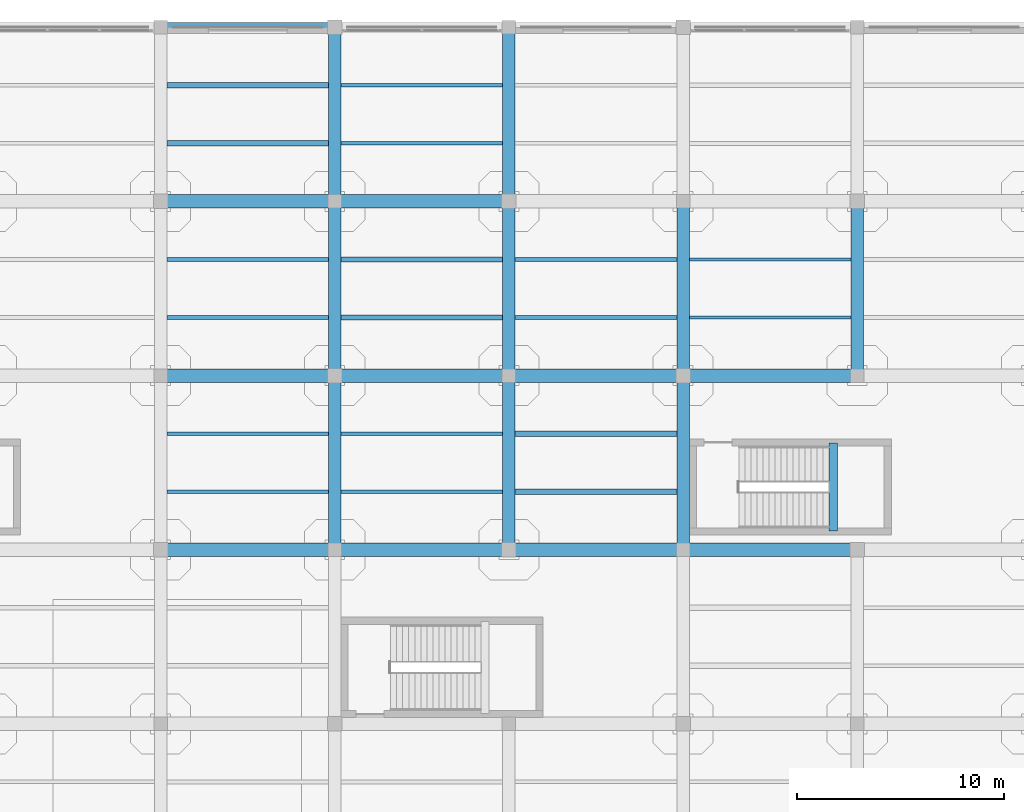
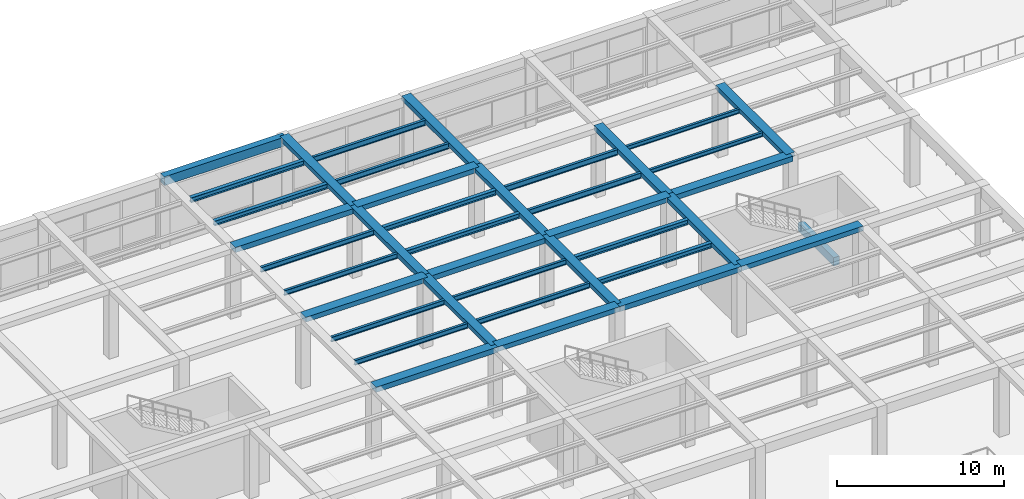
# One storey, part 38 of 96: 39 beams.
"""IFC4 building model written with IfcOpenShell, lengths in metres."""

from ifc_helpers import new_model, si_unit, direction, frame, origin, origin_2d, place, context, subcontext, project, spatial, rectangle, i_section, extrude, material, material_profile, profile_set, type_object, element, save


model = new_model("IFC4")

# Units and contexts
model_context = context("Model", 3, precision=1e-05, world=origin(), true_north=direction((0.0, 1.0)))
body_context = subcontext(model_context, "Body", "Model", "MODEL_VIEW")
ifc_project = project(units=[si_unit("LENGTHUNIT", "METRE"), si_unit("AREAUNIT", "SQUARE_METRE"), si_unit("VOLUMEUNIT", "CUBIC_METRE"), si_unit("PLANEANGLEUNIT", "RADIAN"), si_unit("MASSUNIT", "GRAM", prefix="KILO")], contexts=[model_context])

# Site, building, storey
site_placement = place(None, origin())
site = spatial("IfcSite", under=ifc_project, at=site_placement, CompositionType="ELEMENT")
building_placement = place(site_placement, origin())
building = spatial("IfcBuilding", under=site, at=building_placement, Name="Almacenes y Pasaje Nevantli", CompositionType="ELEMENT")
storey_placement = place(building_placement, frame((0.0, 0.0, 6.0)))
storey = spatial("IfcBuildingStorey", under=building, at=storey_placement, Name="L02", CompositionType="ELEMENT", Elevation=6.0)

# Beams
ifc_material_1 = material(Name="Concrete C35/45", Category="concrete")
ifc_material_profile_1 = material_profile(ifc_material_1, rectangle(XDim=0.39990234375, YDim=0.60009765625, at=origin_2d()), Name="RC-BM-400x600")
ifc_profile_set_1 = profile_set([ifc_material_profile_1], Name="Concrete C35/45")
beam_type_1 = type_object("IfcBeamType", Name="BM-RC-400x600", PredefinedType="SPANDREL", material=ifc_profile_set_1)
beam_1_placement = place(storey_placement, frame((57.64990234375, 93.300048828125, 2.199951171875), z_axis=(0.0, 1.0, 0.0), x_axis=(-1.0, 0.0, 0.0)))
element("IfcBeam", 1, at=beam_1_placement, inside=storey, type_object=beam_type_1, Name="L02 Stair ST-05 Half-Landing Support Beam", PredefinedType="SPANDREL", context=body_context, shape_type="SweptSolid", body=[
    extrude(rectangle(XDim=0.39990234375, YDim=0.60009765625, at=origin_2d()), origin(), (0.0, 0.0, 1.0), 4.25),
])
ifc_material_2 = material(Name="Concrete C35/45", Category="concrete")
ifc_material_profile_2 = material_profile(ifc_material_2, rectangle(XDim=0.449951171875, YDim=0.64990234375, at=origin_2d()), Name="RC-BM-450x650")
ifc_profile_set_2 = profile_set([ifc_material_profile_2], Name="Concrete C35/45")
beam_type_2 = type_object("IfcBeamType", Name="BM-RC-450x650", PredefinedType="SPANDREL", material=ifc_profile_set_2)
beam_2_placement = place(storey_placement, frame((25.199951171875, 117.60009765625, 4.77490234375), z_axis=(1.0, 0.0, 0.0), x_axis=(0.0, 1.0, 0.0)))
element("IfcBeam", 2, at=beam_2_placement, inside=storey, type_object=beam_type_2, Name="L02 East-West Reinforced Concrete Beam #1949", PredefinedType="SPANDREL", context=body_context, shape_type="SweptSolid", body=[
    extrude(rectangle(XDim=0.449951171875, YDim=0.64990234375, at=origin_2d()), origin(), (0.0, 0.0, 1.0), 8.400146484375),
])
ifc_material_3 = material(Name="Concrete C35/45", Category="concrete")
ifc_material_profile_3 = material_profile(ifc_material_3, rectangle(XDim=0.60009765625, YDim=0.320068359375, at=origin_2d()), Name="RC-BM-600x320")
ifc_profile_set_3 = profile_set([ifc_material_profile_3], Name="Concrete C35/45")
beam_type_3 = type_object("IfcBeamType", Name="BM-RC-600x320", PredefinedType="BEAM", material=ifc_profile_set_3)
for number, where, z_axis, x_axis, name in (
    (3, (33.60009765625, 92.39990234375, 4.93994140625), (0.0, 1.0, 0.0), (-1.0, 0.0, 0.0), "L02 North-South Reinforced Concrete Beam #2021"),
    (4, (33.60009765625, 109.199951171875, 4.93994140625), (0.0, 1.0, 0.0), (-1.0, 0.0, 0.0), "L02 North-South Reinforced Concrete Beam #2023"),
):
    element("IfcBeam", number, at=place(storey_placement, frame(where, z_axis=z_axis, x_axis=x_axis)), inside=storey, type_object=beam_type_3, Name=name, PredefinedType="BEAM", context=body_context, shape_type="SweptSolid", body=[
        extrude(rectangle(XDim=0.60009765625, YDim=0.320068359375, at=origin_2d()), origin(), (0.0, 0.0, 1.0), 8.400146484375),
    ])
beam_3_placement = place(storey_placement, frame((42.0, 100.800048828125, 4.93994140625), z_axis=(0.0, 1.0, 0.0), x_axis=(-1.0, 0.0, 0.0)))
element("IfcBeam", 5, at=beam_3_placement, inside=storey, type_object=beam_type_3, Name="L02 North-South Reinforced Concrete Beam #2031", PredefinedType="BEAM", context=body_context, shape_type="SweptSolid", body=[
    extrude(rectangle(XDim=0.60009765625, YDim=0.320068359375, at=origin_2d()), origin(), (0.0, 0.0, 1.0), 8.39990234375),
])
beam_4_placement = place(storey_placement, frame((50.39990234375, 92.39990234375, 4.93994140625), z_axis=(0.0, 1.0, 0.0), x_axis=(-1.0, 0.0, 0.0)))
element("IfcBeam", 6, at=beam_4_placement, inside=storey, type_object=beam_type_3, Name="L02 North-South Reinforced Concrete Beam #2039", PredefinedType="BEAM", context=body_context, shape_type="SweptSolid", body=[
    extrude(rectangle(XDim=0.60009765625, YDim=0.320068359375, at=origin_2d()), origin(), (0.0, 0.0, 1.0), 8.400146484375),
])
beam_5_placement = place(storey_placement, frame((58.800048828125, 100.800048828125, 4.93994140625), z_axis=(0.0, 1.0, 0.0), x_axis=(-1.0, 0.0, 0.0)))
element("IfcBeam", 7, at=beam_5_placement, inside=storey, type_object=beam_type_3, Name="L02 North-South Reinforced Concrete Beam #2053", PredefinedType="BEAM", context=body_context, shape_type="SweptSolid", body=[
    extrude(rectangle(XDim=0.60009765625, YDim=0.320068359375, at=origin_2d()), origin(), (0.0, 0.0, 1.0), 8.39990234375),
])
ifc_material_4 = material(Name="Concrete C35/45", Category="concrete")
ifc_material_profile_4 = material_profile(ifc_material_4, rectangle(XDim=0.60009765625, YDim=0.340087890625, at=origin_2d()), Name="RC-BM-600x340")
ifc_profile_set_4 = profile_set([ifc_material_profile_4], Name="Concrete C35/45")
beam_type_4 = type_object("IfcBeamType", Name="BM-RC-600x340", PredefinedType="BEAM", material=ifc_profile_set_4)
beam_6_placement = place(storey_placement, frame((33.60009765625, 100.800048828125, 4.929931640625), z_axis=(0.0, 1.0, 0.0), x_axis=(-1.0, 0.0, 0.0)))
element("IfcBeam", 8, at=beam_6_placement, inside=storey, type_object=beam_type_4, Name="L02 North-South Reinforced Concrete Beam #2022", PredefinedType="BEAM", context=body_context, shape_type="SweptSolid", body=[
    extrude(rectangle(XDim=0.60009765625, YDim=0.340087890625, at=origin_2d()), origin(), (0.0, 0.0, 1.0), 8.39990234375),
])
for number, where, z_axis, x_axis, name in (
    (9, (42.0, 92.39990234375, 4.929931640625), (0.0, 1.0, 0.0), (-1.0, 0.0, 0.0), "L02 North-South Reinforced Concrete Beam #2030"),
    (10, (42.0, 109.199951171875, 4.929931640625), (0.0, 1.0, 0.0), (-1.0, 0.0, 0.0), "L02 North-South Reinforced Concrete Beam #2032"),
):
    element("IfcBeam", number, at=place(storey_placement, frame(where, z_axis=z_axis, x_axis=x_axis)), inside=storey, type_object=beam_type_4, Name=name, PredefinedType="BEAM", context=body_context, shape_type="SweptSolid", body=[
        extrude(rectangle(XDim=0.60009765625, YDim=0.340087890625, at=origin_2d()), origin(), (0.0, 0.0, 1.0), 8.400146484375),
    ])
beam_7_placement = place(storey_placement, frame((50.39990234375, 100.800048828125, 4.929931640625), z_axis=(0.0, 1.0, 0.0), x_axis=(-1.0, 0.0, 0.0)))
element("IfcBeam", 11, at=beam_7_placement, inside=storey, type_object=beam_type_4, Name="L02 North-South Reinforced Concrete Beam #2040", PredefinedType="BEAM", context=body_context, shape_type="SweptSolid", body=[
    extrude(rectangle(XDim=0.60009765625, YDim=0.340087890625, at=origin_2d()), origin(), (0.0, 0.0, 1.0), 8.39990234375),
])
ifc_material_5 = material(Name="Concrete C35/45", Category="concrete")
ifc_material_profile_5 = material_profile(ifc_material_5, rectangle(XDim=0.64990234375, YDim=0.35009765625, at=origin_2d()), Name="RC-BM-650x350")
ifc_profile_set_5 = profile_set([ifc_material_profile_5], Name="Concrete C35/45")
beam_type_5 = type_object("IfcBeamType", Name="BM-RC-650x350", PredefinedType="BEAM", material=ifc_profile_set_5)
beam_8_placement = place(storey_placement, frame((33.60009765625, 92.39990234375, 4.925048828125), z_axis=(1.0, 0.0, 0.0), x_axis=(0.0, 1.0, 0.0)))
element("IfcBeam", 12, at=beam_8_placement, inside=storey, type_object=beam_type_5, Name="L02 East-West Reinforced Concrete Beam #1899", PredefinedType="BEAM", context=body_context, shape_type="SweptSolid", body=[
    extrude(rectangle(XDim=0.64990234375, YDim=0.35009765625, at=origin_2d()), origin(), (0.0, 0.0, 1.0), 8.39990234375),
])
for number, where, z_axis, x_axis, name in (
    (13, (50.39990234375, 92.39990234375, 4.925048828125), (1.0, 0.0, 0.0), (0.0, 1.0, 0.0), "L02 East-West Reinforced Concrete Beam #1901"),
    (14, (25.199951171875, 100.800048828125, 4.925048828125), (1.0, 0.0, 0.0), (0.0, 1.0, 0.0), "L02 East-West Reinforced Concrete Beam #1915"),
):
    element("IfcBeam", number, at=place(storey_placement, frame(where, z_axis=z_axis, x_axis=x_axis)), inside=storey, type_object=beam_type_5, Name=name, PredefinedType="BEAM", context=body_context, shape_type="SweptSolid", body=[
        extrude(rectangle(XDim=0.64990234375, YDim=0.35009765625, at=origin_2d()), origin(), (0.0, 0.0, 1.0), 8.400146484375),
    ])
for number, where, z_axis, x_axis, name in (
    (15, (42.0, 100.800048828125, 4.925048828125), (1.0, 0.0, 0.0), (0.0, 1.0, 0.0), "L02 East-West Reinforced Concrete Beam #1917"),
    (16, (33.60009765625, 109.199951171875, 4.925048828125), (1.0, 0.0, 0.0), (0.0, 1.0, 0.0), "L02 East-West Reinforced Concrete Beam #1933"),
):
    element("IfcBeam", number, at=place(storey_placement, frame(where, z_axis=z_axis, x_axis=x_axis)), inside=storey, type_object=beam_type_5, Name=name, PredefinedType="BEAM", context=body_context, shape_type="SweptSolid", body=[
        extrude(rectangle(XDim=0.64990234375, YDim=0.35009765625, at=origin_2d()), origin(), (0.0, 0.0, 1.0), 8.39990234375),
    ])
ifc_material_6 = material(Name="Concrete C35/45", Category="concrete")
ifc_material_profile_6 = material_profile(ifc_material_6, rectangle(XDim=0.64990234375, YDim=0.3798828125, at=origin_2d()), Name="RC-BM-650x380")
ifc_profile_set_6 = profile_set([ifc_material_profile_6], Name="Concrete C35/45")
beam_type_6 = type_object("IfcBeamType", Name="BM-RC-650x380", PredefinedType="BEAM", material=ifc_profile_set_6)
beam_9_placement = place(storey_placement, frame((25.199951171875, 92.39990234375, 4.909912109375), z_axis=(1.0, 0.0, 0.0), x_axis=(0.0, 1.0, 0.0)))
element("IfcBeam", 17, at=beam_9_placement, inside=storey, type_object=beam_type_6, Name="L02 East-West Reinforced Concrete Beam #1898", PredefinedType="BEAM", context=body_context, shape_type="SweptSolid", body=[
    extrude(rectangle(XDim=0.64990234375, YDim=0.3798828125, at=origin_2d()), origin(), (0.0, 0.0, 1.0), 8.400146484375),
])
for number, where, z_axis, x_axis, name in (
    (18, (42.0, 92.39990234375, 4.909912109375), (1.0, 0.0, 0.0), (0.0, 1.0, 0.0), "L02 East-West Reinforced Concrete Beam #1900"),
    (19, (33.60009765625, 100.800048828125, 4.909912109375), (1.0, 0.0, 0.0), (0.0, 1.0, 0.0), "L02 East-West Reinforced Concrete Beam #1916"),
):
    element("IfcBeam", number, at=place(storey_placement, frame(where, z_axis=z_axis, x_axis=x_axis)), inside=storey, type_object=beam_type_6, Name=name, PredefinedType="BEAM", context=body_context, shape_type="SweptSolid", body=[
        extrude(rectangle(XDim=0.64990234375, YDim=0.3798828125, at=origin_2d()), origin(), (0.0, 0.0, 1.0), 8.39990234375),
    ])
for number, where, z_axis, x_axis, name in (
    (20, (50.39990234375, 100.800048828125, 4.909912109375), (1.0, 0.0, 0.0), (0.0, 1.0, 0.0), "L02 East-West Reinforced Concrete Beam #1918"),
    (21, (25.199951171875, 109.199951171875, 4.909912109375), (1.0, 0.0, 0.0), (0.0, 1.0, 0.0), "L02 East-West Reinforced Concrete Beam #1932"),
):
    element("IfcBeam", number, at=place(storey_placement, frame(where, z_axis=z_axis, x_axis=x_axis)), inside=storey, type_object=beam_type_6, Name=name, PredefinedType="BEAM", context=body_context, shape_type="SweptSolid", body=[
        extrude(rectangle(XDim=0.64990234375, YDim=0.3798828125, at=origin_2d()), origin(), (0.0, 0.0, 1.0), 8.400146484375),
    ])
ifc_material_7 = material(Name="Steel ASTM A992", Category="steel")
ifc_material_profile_7 = material_profile(ifc_material_7, i_section(OverallWidth=0.1650390625, OverallDepth=0.306884765625, WebThickness=0.006591796875, FlangeThickness=0.01025390625, at=origin_2d()), Name="IR 305x44.6")
ifc_profile_set_7 = profile_set([ifc_material_profile_7], Name="Steel ASTM A992")
beam_type_7 = type_object("IfcBeamType", Name="BM-STL-IR-305x44p6", PredefinedType="JOIST", material=ifc_profile_set_7)
for number, where, z_axis, x_axis, name in (
    (22, (50.699951171875, 103.60009765625, 4.9384765625), (1.0, 0.0, 0.0), (0.0, 1.0, 0.0), "L02 Secondary Steel Floor Joist #427"),
    (23, (50.699951171875, 106.39990234375, 4.9384765625), (1.0, 0.0, 0.0), (0.0, 1.0, 0.0), "L02 Secondary Steel Floor Joist #428"),
):
    element("IfcBeam", number, at=place(storey_placement, frame(where, z_axis=z_axis, x_axis=x_axis)), inside=storey, type_object=beam_type_7, Name=name, PredefinedType="JOIST", context=body_context, shape_type="SweptSolid", body=[
        extrude(i_section(OverallWidth=0.1650390625, OverallDepth=0.306884765625, WebThickness=0.006591796875, FlangeThickness=0.01025390625, at=origin_2d()), origin(), (0.0, 0.0, 1.0), 7.800048828125),
    ])
ifc_material_8 = material(Name="Steel ASTM A992", Category="steel")
ifc_material_profile_8 = material_profile(ifc_material_8, i_section(OverallWidth=0.173095703125, OverallDepth=0.35302734375, WebThickness=0.0078125, FlangeThickness=0.01318359375, at=origin_2d()), Name="IR 356x56.6")
ifc_profile_set_8 = profile_set([ifc_material_profile_8], Name="Steel ASTM A992")
beam_type_8 = type_object("IfcBeamType", Name="BM-STL-IR-356x56p6", PredefinedType="JOIST", material=ifc_profile_set_8)
for number, where, z_axis, x_axis, name in (
    (24, (25.5, 95.199951171875, 4.91552734375), (1.0, 0.0, 0.0), (0.0, 1.0, 0.0), "L02 Secondary Steel Floor Joist #377"),
    (25, (25.5, 98.0, 4.91552734375), (1.0, 0.0, 0.0), (0.0, 1.0, 0.0), "L02 Secondary Steel Floor Joist #378"),
):
    element("IfcBeam", number, at=place(storey_placement, frame(where, z_axis=z_axis, x_axis=x_axis)), inside=storey, type_object=beam_type_8, Name=name, PredefinedType="JOIST", context=body_context, shape_type="SweptSolid", body=[
        extrude(i_section(OverallWidth=0.173095703125, OverallDepth=0.35302734375, WebThickness=0.0078125, FlangeThickness=0.01318359375, at=origin_2d()), origin(), (0.0, 0.0, 1.0), 7.800048828125),
    ])
ifc_material_9 = material(Name="Steel ASTM A992", Category="steel")
ifc_material_profile_9 = material_profile(ifc_material_9, i_section(OverallWidth=0.173095703125, OverallDepth=0.364013671875, WebThickness=0.009033203125, FlangeThickness=0.015625, at=origin_2d()), Name="IR 356x67.0")
ifc_profile_set_9 = profile_set([ifc_material_profile_9], Name="Steel ASTM A992")
beam_type_9 = type_object("IfcBeamType", Name="BM-STL-IR-356x67p0", PredefinedType="JOIST", material=ifc_profile_set_9)
for number, where, z_axis, x_axis, name in (
    (26, (25.5, 103.60009765625, 4.909912109375), (1.0, 0.0, 0.0), (0.0, 1.0, 0.0), "L02 Secondary Steel Floor Joist #379"),
    (27, (25.5, 106.39990234375, 4.909912109375), (1.0, 0.0, 0.0), (0.0, 1.0, 0.0), "L02 Secondary Steel Floor Joist #380"),
    (28, (33.89990234375, 95.199951171875, 4.909912109375), (1.0, 0.0, 0.0), (0.0, 1.0, 0.0), "L02 Secondary Steel Floor Joist #393"),
    (29, (33.89990234375, 98.0, 4.909912109375), (1.0, 0.0, 0.0), (0.0, 1.0, 0.0), "L02 Secondary Steel Floor Joist #394"),
):
    element("IfcBeam", number, at=place(storey_placement, frame(where, z_axis=z_axis, x_axis=x_axis)), inside=storey, type_object=beam_type_9, Name=name, PredefinedType="JOIST", context=body_context, shape_type="SweptSolid", body=[
        extrude(i_section(OverallWidth=0.173095703125, OverallDepth=0.364013671875, WebThickness=0.009033203125, FlangeThickness=0.015625, at=origin_2d()), origin(), (0.0, 0.0, 1.0), 7.800048828125),
    ])
ifc_material_10 = material(Name="Steel ASTM A992", Category="steel")
ifc_material_profile_10 = material_profile(ifc_material_10, i_section(OverallWidth=0.25390625, OverallDepth=0.35595703125, WebThickness=0.009521484375, FlangeThickness=0.016357421875, at=origin_2d()), Name="IR 356x79.0")
ifc_profile_set_10 = profile_set([ifc_material_profile_10], Name="Steel ASTM A992")
beam_type_10 = type_object("IfcBeamType", Name="BM-STL-IR-356x79p0", PredefinedType="JOIST", material=ifc_profile_set_10)
for number, where, z_axis, x_axis, name in (
    (30, (25.5, 112.0, 4.9140625), (1.0, 0.0, 0.0), (0.0, 1.0, 0.0), "L02 Secondary Steel Floor Joist #381"),
    (31, (25.5, 114.800048828125, 4.9140625), (1.0, 0.0, 0.0), (0.0, 1.0, 0.0), "L02 Secondary Steel Floor Joist #382"),
    (32, (33.89990234375, 103.60009765625, 4.9140625), (1.0, 0.0, 0.0), (0.0, 1.0, 0.0), "L02 Secondary Steel Floor Joist #395"),
    (33, (33.89990234375, 106.39990234375, 4.9140625), (1.0, 0.0, 0.0), (0.0, 1.0, 0.0), "L02 Secondary Steel Floor Joist #396"),
    (34, (42.300048828125, 95.199951171875, 4.9140625), (1.0, 0.0, 0.0), (0.0, 1.0, 0.0), "L02 Secondary Steel Floor Joist #409"),
    (35, (42.300048828125, 98.0, 4.9140625), (1.0, 0.0, 0.0), (0.0, 1.0, 0.0), "L02 Secondary Steel Floor Joist #410"),
):
    element("IfcBeam", number, at=place(storey_placement, frame(where, z_axis=z_axis, x_axis=x_axis)), inside=storey, type_object=beam_type_10, Name=name, PredefinedType="JOIST", context=body_context, shape_type="SweptSolid", body=[
        extrude(i_section(OverallWidth=0.25390625, OverallDepth=0.35595703125, WebThickness=0.009521484375, FlangeThickness=0.016357421875, at=origin_2d()), origin(), (0.0, 0.0, 1.0), 7.800048828125),
    ])
ifc_material_11 = material(Name="Steel ASTM A992", Category="steel")
ifc_material_profile_11 = material_profile(ifc_material_11, i_section(OverallWidth=0.178955078125, OverallDepth=0.406005859375, WebThickness=0.0087890625, FlangeThickness=0.014404296875, at=origin_2d()), Name="IR 406x67.0")
ifc_profile_set_11 = profile_set([ifc_material_profile_11], Name="Steel ASTM A992")
beam_type_11 = type_object("IfcBeamType", Name="BM-STL-IR-406x67p0", PredefinedType="JOIST", material=ifc_profile_set_11)
for number, where, z_axis, x_axis, name in (
    (36, (33.89990234375, 112.0, 4.888916015625), (1.0, 0.0, 0.0), (0.0, 1.0, 0.0), "L02 Secondary Steel Floor Joist #397"),
    (37, (33.89990234375, 114.800048828125, 4.888916015625), (1.0, 0.0, 0.0), (0.0, 1.0, 0.0), "L02 Secondary Steel Floor Joist #398"),
    (38, (42.300048828125, 103.60009765625, 4.888916015625), (1.0, 0.0, 0.0), (0.0, 1.0, 0.0), "L02 Secondary Steel Floor Joist #411"),
    (39, (42.300048828125, 106.39990234375, 4.888916015625), (1.0, 0.0, 0.0), (0.0, 1.0, 0.0), "L02 Secondary Steel Floor Joist #412"),
):
    element("IfcBeam", number, at=place(storey_placement, frame(where, z_axis=z_axis, x_axis=x_axis)), inside=storey, type_object=beam_type_11, Name=name, PredefinedType="JOIST", context=body_context, shape_type="SweptSolid", body=[
        extrude(i_section(OverallWidth=0.178955078125, OverallDepth=0.406005859375, WebThickness=0.0087890625, FlangeThickness=0.014404296875, at=origin_2d()), origin(), (0.0, 0.0, 1.0), 7.800048828125),
    ])

save(model, "model.ifc")
